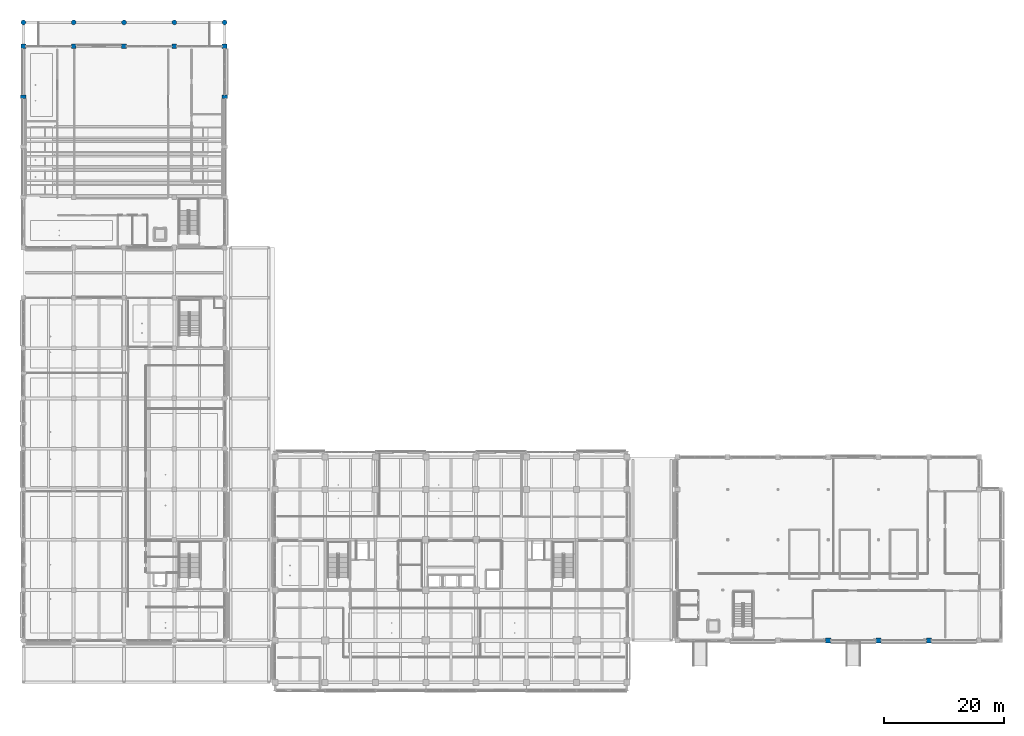
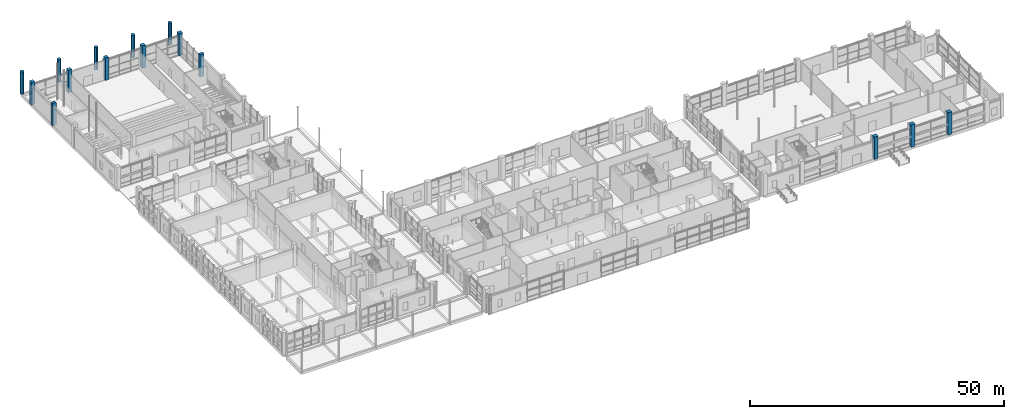
# One storey, part 13 of 140: 15 columns.
"""IFC4 building model written with IfcOpenShell, lengths in metres."""

from ifc_helpers import new_model, si_unit, direction, frame, origin, origin_2d, place, context, subcontext, project, spatial, rectangle, circle, extrude, material, material_profile, profile_set, type_object, element, save


model = new_model("IFC4")

# Units and contexts
model_context = context("Model", 3, precision=1e-05, world=origin(), true_north=direction((0.0, 1.0)))
body_context = subcontext(model_context, "Body", "Model", "MODEL_VIEW")
ifc_project = project(units=[si_unit("LENGTHUNIT", "METRE"), si_unit("AREAUNIT", "SQUARE_METRE"), si_unit("VOLUMEUNIT", "CUBIC_METRE"), si_unit("PLANEANGLEUNIT", "RADIAN"), si_unit("MASSUNIT", "GRAM", prefix="KILO")], contexts=[model_context])

# Site, building, storey
site_placement = place(None, origin())
site = spatial("IfcSite", under=ifc_project, at=site_placement, CompositionType="ELEMENT")
building_placement = place(site_placement, origin())
building = spatial("IfcBuilding", under=site, at=building_placement, Name="Telukmera Botanical Conservatory", CompositionType="ELEMENT")
storey_placement = place(building_placement, origin())
storey = spatial("IfcBuildingStorey", under=building, at=storey_placement, Name="L00", CompositionType="ELEMENT", Elevation=0.0)

# Columns
ifc_material_1 = material(Name="Concrete C40/50", Category="concrete")
ifc_material_profile_1 = material_profile(ifc_material_1, rectangle(XDim=0.60009765625, YDim=0.89990234375, at=origin_2d()), Name="RC 900x600")
ifc_profile_set_1 = profile_set([ifc_material_profile_1], Name="Concrete C40/50")
column_type_1 = type_object("IfcColumnType", Name="Col_C15", PredefinedType="COLUMN", material=ifc_profile_set_1)
for number, where, z_axis, x_axis, name in (
    (1, (8.39990234375, 108.39990234375, 0.0), (0.0, 0.0, 1.0), (0.0, 1.0, 0.0), "Column V2-L00 (8.4,108.4)"),
    (2, (42.0, 108.39990234375, 0.0), (0.0, 0.0, 1.0), (0.0, 1.0, 0.0), "Column V2-L00 (42.0,108.4)"),
):
    element("IfcColumn", number, at=place(storey_placement, frame(where, z_axis=z_axis, x_axis=x_axis)), inside=storey, type_object=column_type_1, Name=name, PredefinedType="COLUMN", context=body_context, shape_type="SweptSolid", body=[
        extrude(rectangle(XDim=0.60009765625, YDim=0.89990234375, at=origin_2d()), origin(), (0.0, 0.0, 1.0), 5.39990234375),
    ])
ifc_material_profile_2 = material_profile(ifc_material_1, circle(Radius=0.39990234375, at=origin_2d()), Name="RC D800")
ifc_profile_set_2 = profile_set([ifc_material_profile_2], Name="Concrete C40/50")
column_type_2 = type_object("IfcColumnType", Name="Col_C18", PredefinedType="COLUMN", material=ifc_profile_set_2)
for number, where, z_axis, x_axis, name in (
    (3, (8.39990234375, 120.800048828125, 0.0), (0.0, 0.0, 1.0), (1.0, 0.0, 0.0), "Column V2-L00 (8.4,120.8)"),
    (4, (16.800048828125, 120.800048828125, 0.0), (0.0, 0.0, 1.0), (1.0, 0.0, 0.0), "Column V2-L00 (16.8,120.8)"),
    (5, (25.199951171875, 120.800048828125, 0.0), (0.0, 0.0, 1.0), (1.0, 0.0, 0.0), "Column V2-L00 (25.2,120.8)"),
    (6, (33.60009765625, 120.800048828125, 0.0), (0.0, 0.0, 1.0), (1.0, 0.0, 0.0), "Column V2-L00 (33.6,120.8)"),
    (7, (42.0, 120.800048828125, 0.0), (0.0, 0.0, 1.0), (1.0, 0.0, 0.0), "Column V2-L00 (42.0,120.8)"),
):
    element("IfcColumn", number, at=place(storey_placement, frame(where, z_axis=z_axis, x_axis=x_axis)), inside=storey, type_object=column_type_2, Name=name, PredefinedType="COLUMN", context=body_context, shape_type="SweptSolid", body=[
        extrude(circle(Radius=0.39990234375, at=origin_2d()), origin(), (0.0, 0.0, 1.0), 5.39990234375),
    ])
ifc_material_2 = material(Name="Concrete C50/60", Category="concrete")
ifc_material_profile_3 = material_profile(ifc_material_2, rectangle(XDim=0.85009765625, YDim=0.85009765625, at=origin_2d()), Name="RC 850x850")
ifc_profile_set_3 = profile_set([ifc_material_profile_3], Name="Concrete C50/60")
column_type_3 = type_object("IfcColumnType", Name="Col_C6", PredefinedType="COLUMN", material=ifc_profile_set_3)
for number, where, z_axis, x_axis, name in (
    (8, (142.800048828125, 17.60009765625, 0.0), (0.0, 0.0, 1.0), (1.0, 0.0, 0.0), "Column V1-L00 (142.8,17.6)"),
    (9, (151.199951171875, 17.60009765625, 0.0), (0.0, 0.0, 1.0), (1.0, 0.0, 0.0), "Column V1-L00 (151.2,17.6)"),
    (10, (159.60009765625, 17.60009765625, 0.0), (0.0, 0.0, 1.0), (1.0, 0.0, 0.0), "Column V1-L00 (159.6,17.6)"),
):
    element("IfcColumn", number, at=place(storey_placement, frame(where, z_axis=z_axis, x_axis=x_axis)), inside=storey, type_object=column_type_3, Name=name, PredefinedType="COLUMN", context=body_context, shape_type="SweptSolid", body=[
        extrude(rectangle(XDim=0.85009765625, YDim=0.85009765625, at=origin_2d()), origin(), (0.0, 0.0, 1.0), 5.39990234375),
    ])
ifc_material_profile_4 = material_profile(ifc_material_2, rectangle(XDim=0.800048828125, YDim=0.800048828125, at=origin_2d()), Name="RC 800x800")
ifc_profile_set_4 = profile_set([ifc_material_profile_4], Name="Concrete C50/60")
column_type_4 = type_object("IfcColumnType", Name="Col_C7", PredefinedType="COLUMN", material=ifc_profile_set_4)
for number, where, z_axis, x_axis, name in (
    (11, (8.39990234375, 116.800048828125, 0.0), (0.0, 0.0, 1.0), (1.0, 0.0, 0.0), "Column V2-L00 (8.4,116.8)"),
    (12, (16.800048828125, 116.800048828125, 0.0), (0.0, 0.0, 1.0), (1.0, 0.0, 0.0), "Column V2-L00 (16.8,116.8)"),
    (13, (25.199951171875, 116.800048828125, 0.0), (0.0, 0.0, 1.0), (1.0, 0.0, 0.0), "Column V2-L00 (25.2,116.8)"),
    (14, (33.60009765625, 116.800048828125, 0.0), (0.0, 0.0, 1.0), (1.0, 0.0, 0.0), "Column V2-L00 (33.6,116.8)"),
    (15, (42.0, 116.800048828125, 0.0), (0.0, 0.0, 1.0), (1.0, 0.0, 0.0), "Column V2-L00 (42.0,116.8)"),
):
    element("IfcColumn", number, at=place(storey_placement, frame(where, z_axis=z_axis, x_axis=x_axis)), inside=storey, type_object=column_type_4, Name=name, PredefinedType="COLUMN", context=body_context, shape_type="SweptSolid", body=[
        extrude(rectangle(XDim=0.800048828125, YDim=0.800048828125, at=origin_2d()), origin(), (0.0, 0.0, 1.0), 5.39990234375),
    ])

save(model, "model.ifc")
